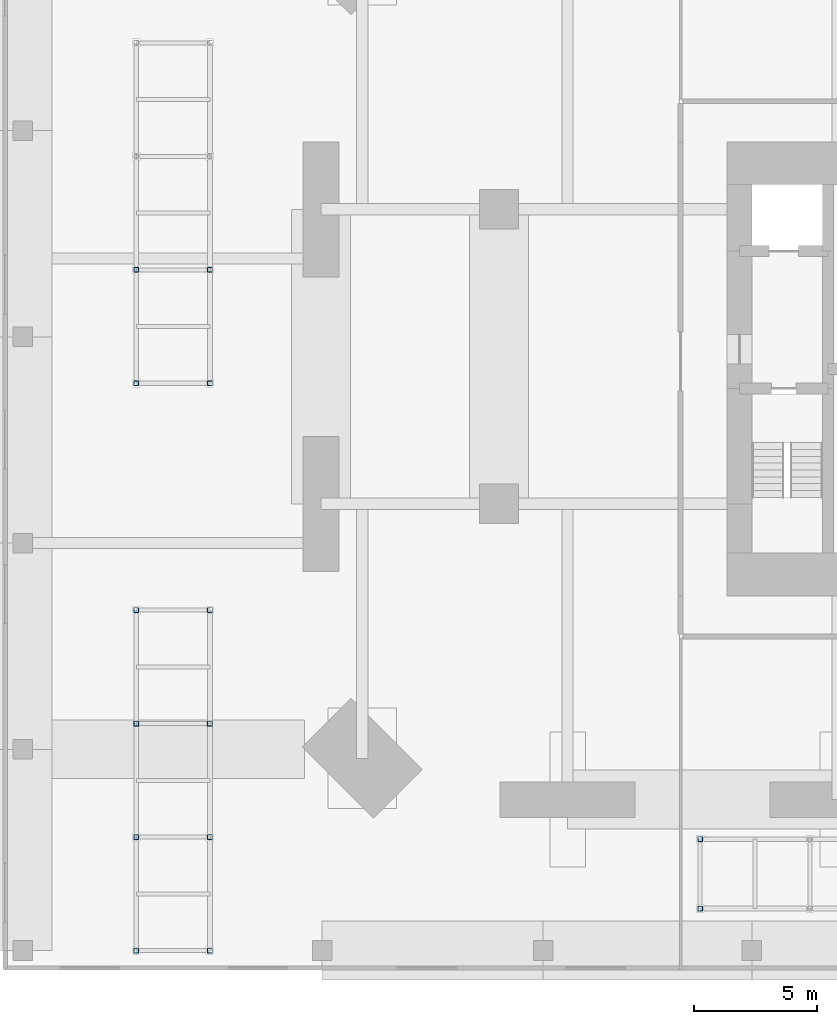
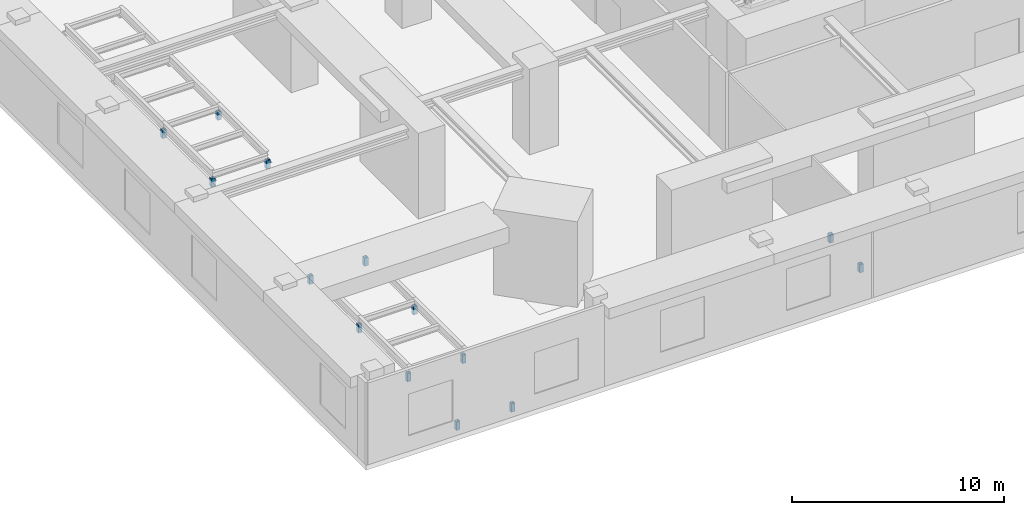
# One storey, part 3 of 17: 14 members.
"""IFC4 building model written with IfcOpenShell, lengths in metres."""

from ifc_helpers import new_model, si_unit, direction, frame, origin, origin_2d, place, context, subcontext, project, spatial, hollow_rectangle, extrude, material, material_profile, profile_set, type_object, element, save


model = new_model("IFC4")

# Units and contexts
model_context = context("Model", 3, precision=1e-05, world=origin(), true_north=direction((0.0, 1.0)))
body_context = subcontext(model_context, "Body", "Model", "MODEL_VIEW")
ifc_project = project(units=[si_unit("LENGTHUNIT", "METRE"), si_unit("AREAUNIT", "SQUARE_METRE"), si_unit("VOLUMEUNIT", "CUBIC_METRE"), si_unit("PLANEANGLEUNIT", "RADIAN"), si_unit("MASSUNIT", "GRAM", prefix="KILO")], contexts=[model_context])

# Site, building, storey
site_placement = place(None, origin())
site = spatial("IfcSite", under=ifc_project, at=site_placement, CompositionType="ELEMENT")
building_placement = place(site_placement, origin())
building = spatial("IfcBuilding", under=site, at=building_placement, Name="Jalousie Tower", CompositionType="ELEMENT")
storey_placement = place(building_placement, frame((0.0, 0.0, 16.0)))
storey = spatial("IfcBuildingStorey", under=building, at=storey_placement, Name="L03", CompositionType="ELEMENT", Elevation=16.0)

# Members
ifc_material = material(Name="Steel ASTM A500 Grade C", Category="steel")
ifc_material_profile = material_profile(ifc_material, hollow_rectangle(XDim=0.203125, YDim=0.203125, WallThickness=0.0126953125, at=origin_2d()), Name="HSS8X8X1/2")
ifc_profile_set = profile_set([ifc_material_profile], Name="Steel ASTM A500 Grade C")
member_type = type_object("IfcMemberType", Name="PLANT SUPPORT STOOL HSS8X8X1/2", PredefinedType="POST", material=ifc_profile_set)
for number, where, z_axis, x_axis, name in (
    (1, (-4.574951171875, -5.199951171875, -0.280029296875), (0.0, 0.0, 1.0), (1.0, 0.0, 0.0), "Plant support stool Mechanical plant room L03"),
    (2, (-1.574951171875, -5.199951171875, -0.280029296875), (0.0, 0.0, 1.0), (1.0, 0.0, 0.0), "Plant support stool Mechanical plant room L03"),
    (3, (-4.574951171875, -0.577880859375, -0.280029296875), (0.0, 0.0, 1.0), (1.0, 0.0, 0.0), "Plant support stool Mechanical plant room L03"),
    (4, (-1.574951171875, -0.577880859375, -0.280029296875), (0.0, 0.0, 1.0), (1.0, 0.0, 0.0), "Plant support stool Mechanical plant room L03"),
    (5, (-4.574951171875, 4.04443359375, -0.280029296875), (0.0, 0.0, 1.0), (1.0, 0.0, 0.0), "Plant support stool Mechanical plant room L03"),
    (6, (-1.574951171875, 4.04443359375, -0.280029296875), (0.0, 0.0, 1.0), (1.0, 0.0, 0.0), "Plant support stool Mechanical plant room L03"),
    (7, (-4.574951171875, 8.666748046875, -0.280029296875), (0.0, 0.0, 1.0), (1.0, 0.0, 0.0), "Plant support stool Mechanical plant room L03"),
    (8, (-1.574951171875, 8.666748046875, -0.280029296875), (0.0, 0.0, 1.0), (1.0, 0.0, 0.0), "Plant support stool Mechanical plant room L03"),
    (9, (-4.574951171875, 17.9111328125, -0.280029296875), (0.0, 0.0, 1.0), (1.0, 0.0, 0.0), "Plant support stool Mechanical plant room L03"),
    (10, (-1.574951171875, 17.9111328125, -0.280029296875), (0.0, 0.0, 1.0), (1.0, 0.0, 0.0), "Plant support stool Mechanical plant room L03"),
    (11, (-4.574951171875, 22.533203125, -0.280029296875), (0.0, 0.0, 1.0), (1.0, 0.0, 0.0), "Plant support stool Mechanical plant room L03"),
    (12, (-1.574951171875, 22.533203125, -0.280029296875), (0.0, 0.0, 1.0), (1.0, 0.0, 0.0), "Plant support stool Mechanical plant room L03"),
    (13, (18.39990234375, -3.487548828125, -0.280029296875), (0.0, 0.0, 1.0), (1.0, 0.0, 0.0), "Plant support stool Electrical plant room L03"),
    (14, (18.39990234375, -0.66259765625, -0.280029296875), (0.0, 0.0, 1.0), (1.0, 0.0, 0.0), "Plant support stool Electrical plant room L03"),
):
    element("IfcMember", number, at=place(storey_placement, frame(where, z_axis=z_axis, x_axis=x_axis)), inside=storey, type_object=member_type, Name=name, PredefinedType="POST", context=body_context, shape_type="SweptSolid", body=[
        extrude(hollow_rectangle(XDim=0.203125, YDim=0.203125, WallThickness=0.0126953125, at=origin_2d()), origin(), (0.0, 0.0, 1.0), 0.47998046875),
    ])

save(model, "model.ifc")
